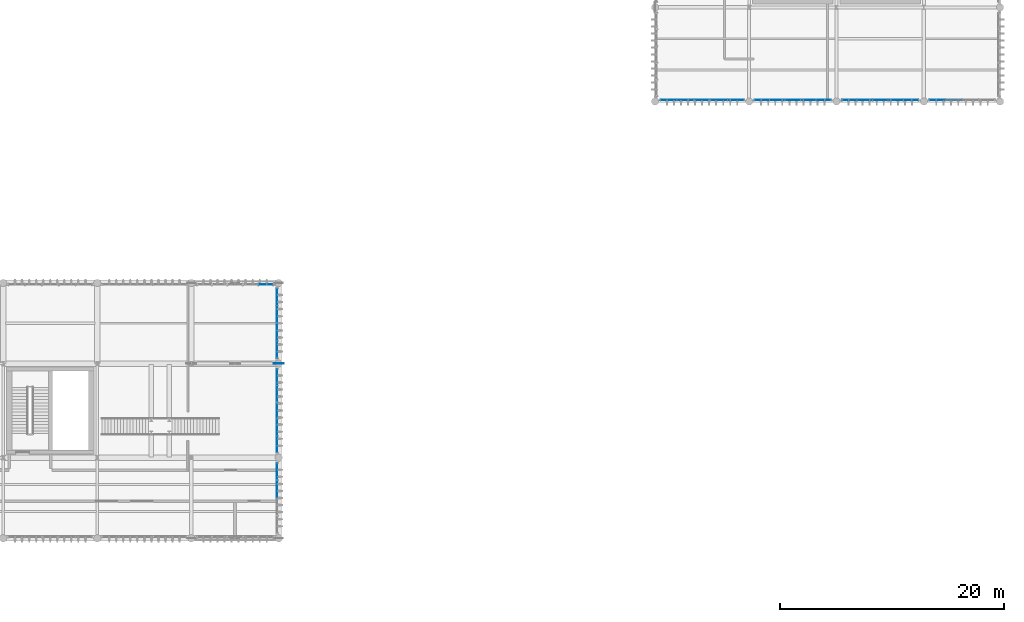
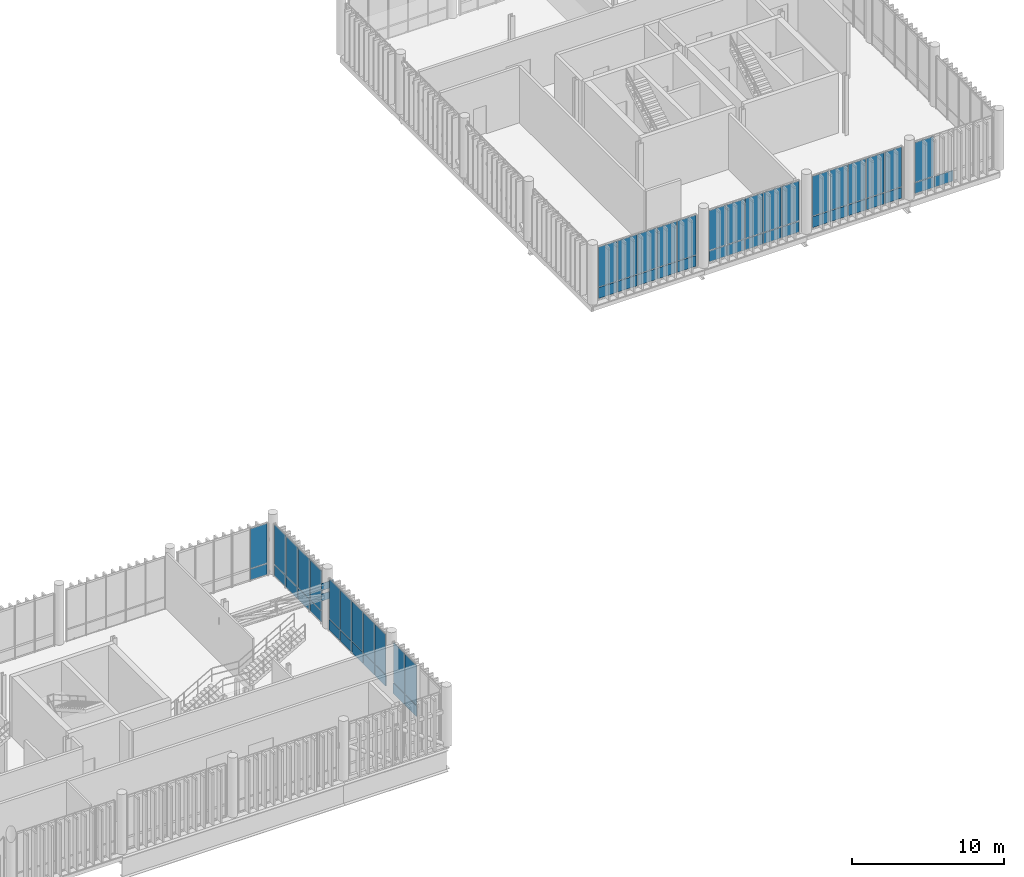
# One storey, part 67 of 86: 59 plates, 8 elements without a shape of their own.
"""IFC4 building model written with IfcOpenShell, lengths in metres."""

from ifc_helpers import new_model, si_unit, direction, frame, frame_2d, origin_with_axes, origin_2d_with_axis, place, context, subcontext, project, spatial, rectangle, extrude, material, layer, layer_set, type_object, element, aggregate, save


model = new_model("IFC4")

# Units and contexts
model_context = context("Model", 3, precision=1e-05, world=origin_with_axes(), true_north=direction((0.0, 1.0)))
body_context = subcontext(model_context, "Body", "Model", "MODEL_VIEW")
ifc_project = project(units=[si_unit("LENGTHUNIT", "METRE"), si_unit("AREAUNIT", "SQUARE_METRE"), si_unit("VOLUMEUNIT", "CUBIC_METRE"), si_unit("PLANEANGLEUNIT", "RADIAN"), si_unit("MASSUNIT", "GRAM", prefix="KILO"), si_unit("THERMODYNAMICTEMPERATUREUNIT", "KELVIN")], contexts=[model_context])

# Site, building, storey
site_placement = place(None, origin_with_axes())
site = spatial("IfcSite", under=ifc_project, at=site_placement, CompositionType="ELEMENT")
building_placement = place(site_placement, origin_with_axes())
building = spatial("IfcBuilding", under=site, at=building_placement, Name="Montbau Bow Law Courts", CompositionType="ELEMENT")
storey_placement = place(building_placement, frame((0.0, 0.0, 29.7), z_axis=(0.0, 0.0, 1.0), x_axis=(1.0, 0.0, 0.0)))
storey = spatial("IfcBuildingStorey", under=building, at=storey_placement, Name="L06", CompositionType="ELEMENT", Elevation=29.7)

# Curtain wall, plate
ifc_material_1 = material(Name="Thermally Broken Extruded Aluminium AA 6063-T6", Category="aluminium")
curtain_wall_type_1 = type_object("IfcCurtainWallType", Name="CW-CRM-02", PredefinedType="NOTDEFINED", material=ifc_material_1)
curtain_wall_1_placement = place(None, frame((97.64, 61.66, 29.7), z_axis=(0.0, 0.0, 1.0), x_axis=(1.0, 0.0, 0.0)))
curtain_wall_1 = element("IfcCurtainWall", 1, at=curtain_wall_1_placement, inside=storey, type_object=curtain_wall_type_1, Name="CW-L06-234:cw_0234", PredefinedType="NOTDEFINED")
ifc_material_2 = material(Name="Triple-Glazed Low-E Argon Insulating Glass Unit", Category="glass")
ifc_layer_1 = layer(ifc_material_2, 0.044, Name="Curtain Panel", Category="glass")
ifc_layer_set_1 = layer_set([ifc_layer_1], Name="Triple-Glazed Low-E Argon Insulating Glass Unit")
plate_type_1 = type_object("IfcPlateType", Name="PL-CWP-01", PredefinedType="CURTAIN_PANEL", material=ifc_layer_set_1)
plate_1_placement = place(None, frame((103.215, 61.66, 30.682), z_axis=(0.0, -1.0, 0.0), x_axis=(1.0, 0.0, 0.0)))
plate_1 = element("IfcPlate", 2, at=plate_1_placement, type_object=plate_type_1, Name="CW-L06-234-P05-2:cw_0234_P05_2", PredefinedType="CURTAIN_PANEL", context=body_context, shape_type="SweptSolid", body=[
    extrude(rectangle(XDim=1.269, YDim=3.176, at=frame_2d((0.6345, 1.588), x_axis=(1.0, 0.0))), frame((0.0, 0.0, -0.022), z_axis=(0.0, 0.0, 1.0), x_axis=(1.0, 0.0, 0.0)), (0.0, 0.0, 1.0), 0.044),
])

# Curtain wall, plates
curtain_wall_2_placement = place(None, frame((104.86, 39.44, 29.7), z_axis=(0.0, 0.0, 1.0), x_axis=(1.0, 0.0, 0.0)))
curtain_wall_2 = element("IfcCurtainWall", 3, at=curtain_wall_2_placement, inside=storey, type_object=curtain_wall_type_1, Name="CW-L06-238:cw_0238", PredefinedType="NOTDEFINED")
plate_2_placement = place(None, frame((104.86, 42.635, 30.682), z_axis=(1.0, 0.0, 0.0), x_axis=(0.0, 1.0, 0.0)))
plate_2 = element("IfcPlate", 4, at=plate_2_placement, type_object=plate_type_1, Name="CW-L06-238-P03-2:cw_0238_P03_2", PredefinedType="CURTAIN_PANEL", context=body_context, shape_type="SweptSolid", body=[
    extrude(rectangle(XDim=1.511, YDim=3.176, at=frame_2d((0.7555, 1.588), x_axis=(1.0, 0.0))), frame((0.0, 0.0, -0.022), z_axis=(0.0, 0.0, 1.0), x_axis=(1.0, 0.0, 0.0)), (0.0, 0.0, 1.0), 0.044),
])
plate_3_placement = place(None, frame((104.86, 44.214, 30.682), z_axis=(1.0, 0.0, 0.0), x_axis=(0.0, 1.0, 0.0)))
plate_3 = element("IfcPlate", 5, at=plate_3_placement, type_object=plate_type_1, Name="CW-L06-238-P04-2:cw_0238_P04_2", PredefinedType="CURTAIN_PANEL", context=body_context, shape_type="SweptSolid", body=[
    extrude(rectangle(XDim=1.48, YDim=3.176, at=frame_2d((0.74, 1.588), x_axis=(1.0, 0.0))), frame((0.0, 0.0, -0.022), z_axis=(0.0, 0.0, 1.0), x_axis=(1.0, 0.0, 0.0)), (0.0, 0.0, 1.0), 0.044),
])

curtain_wall_3_placement = place(None, frame((104.86, 46.64, 29.7), z_axis=(0.0, 0.0, 1.0), x_axis=(1.0, 0.0, 0.0)))
curtain_wall_3 = element("IfcCurtainWall", 6, at=curtain_wall_3_placement, inside=storey, type_object=curtain_wall_type_1, Name="CW-L06-239:cw_0239", PredefinedType="NOTDEFINED")
plate_4_placement = place(None, frame((104.86, 46.702, 30.679), z_axis=(1.0, 0.0, 0.0), x_axis=(0.0, 1.0, 0.0)))
plate_4 = element("IfcPlate", 7, at=plate_4_placement, type_object=plate_type_1, Name="CW-L06-239-P01-2:cw_0239_P01_2", PredefinedType="CURTAIN_PANEL", context=body_context, shape_type="SweptSolid", body=[
    extrude(rectangle(XDim=1.41, YDim=3.183, at=frame_2d((0.705, 1.5915), x_axis=(1.0, 0.0))), frame((0.0, 0.0, -0.022), z_axis=(0.0, 0.0, 1.0), x_axis=(1.0, 0.0, 0.0)), (0.0, 0.0, 1.0), 0.044),
])
plate_5_placement = place(None, frame((104.86, 48.176, 30.679), z_axis=(1.0, 0.0, 0.0), x_axis=(0.0, 1.0, 0.0)))
plate_5 = element("IfcPlate", 8, at=plate_5_placement, type_object=plate_type_1, Name="CW-L06-239-P02-2:cw_0239_P02_2", PredefinedType="CURTAIN_PANEL", context=body_context, shape_type="SweptSolid", body=[
    extrude(rectangle(XDim=1.44, YDim=3.183, at=frame_2d((0.72, 1.5915), x_axis=(1.0, 0.0))), frame((0.0, 0.0, -0.022), z_axis=(0.0, 0.0, 1.0), x_axis=(1.0, 0.0, 0.0)), (0.0, 0.0, 1.0), 0.044),
])
plate_6_placement = place(None, frame((104.86, 49.68, 30.679), z_axis=(1.0, 0.0, 0.0), x_axis=(0.0, 1.0, 0.0)))
plate_6 = element("IfcPlate", 9, at=plate_6_placement, type_object=plate_type_1, Name="CW-L06-239-P03-2:cw_0239_P03_2", PredefinedType="CURTAIN_PANEL", context=body_context, shape_type="SweptSolid", body=[
    extrude(rectangle(XDim=1.44, YDim=3.183, at=frame_2d((0.72, 1.5915), x_axis=(1.0, 0.0))), frame((0.0, 0.0, -0.022), z_axis=(0.0, 0.0, 1.0), x_axis=(1.0, 0.0, 0.0)), (0.0, 0.0, 1.0), 0.044),
])
plate_7_placement = place(None, frame((104.86, 51.184, 30.679), z_axis=(1.0, 0.0, 0.0), x_axis=(0.0, 1.0, 0.0)))
plate_7 = element("IfcPlate", 10, at=plate_7_placement, type_object=plate_type_1, Name="CW-L06-239-P04-2:cw_0239_P04_2", PredefinedType="CURTAIN_PANEL", context=body_context, shape_type="SweptSolid", body=[
    extrude(rectangle(XDim=1.44, YDim=3.183, at=frame_2d((0.72, 1.5915), x_axis=(1.0, 0.0))), frame((0.0, 0.0, -0.022), z_axis=(0.0, 0.0, 1.0), x_axis=(1.0, 0.0, 0.0)), (0.0, 0.0, 1.0), 0.044),
])
plate_8_placement = place(None, frame((104.86, 52.688, 30.679), z_axis=(1.0, 0.0, 0.0), x_axis=(0.0, 1.0, 0.0)))
plate_8 = element("IfcPlate", 11, at=plate_8_placement, type_object=plate_type_1, Name="CW-L06-239-P05-2:cw_0239_P05_2", PredefinedType="CURTAIN_PANEL", context=body_context, shape_type="SweptSolid", body=[
    extrude(rectangle(XDim=1.41, YDim=3.183, at=frame_2d((0.705, 1.5915), x_axis=(1.0, 0.0))), frame((0.0, 0.0, -0.022), z_axis=(0.0, 0.0, 1.0), x_axis=(1.0, 0.0, 0.0)), (0.0, 0.0, 1.0), 0.044),
])

curtain_wall_4_placement = place(None, frame((104.86, 55.04, 29.7), z_axis=(0.0, 0.0, 1.0), x_axis=(1.0, 0.0, 0.0)))
curtain_wall_4 = element("IfcCurtainWall", 12, at=curtain_wall_4_placement, inside=storey, type_object=curtain_wall_type_1, Name="CW-L06-240:cw_0240", PredefinedType="NOTDEFINED")
plate_9_placement = place(None, frame((104.86, 55.116, 30.682), z_axis=(1.0, 0.0, 0.0), x_axis=(0.0, 1.0, 0.0)))
plate_9 = element("IfcPlate", 13, at=plate_9_placement, type_object=plate_type_1, Name="CW-L06-240-P01-2:cw_0240_P01_2", PredefinedType="CURTAIN_PANEL", context=body_context, shape_type="SweptSolid", body=[
    extrude(rectangle(XDim=1.464, YDim=3.176, at=frame_2d((0.732, 1.588), x_axis=(1.0, 0.0))), frame((0.0, 0.0, -0.022), z_axis=(0.0, 0.0, 1.0), x_axis=(1.0, 0.0, 0.0)), (0.0, 0.0, 1.0), 0.044),
])
plate_10_placement = place(None, frame((104.86, 56.66, 30.682), z_axis=(1.0, 0.0, 0.0), x_axis=(0.0, 1.0, 0.0)))
plate_10 = element("IfcPlate", 14, at=plate_10_placement, type_object=plate_type_1, Name="CW-L06-240-P02-2:cw_0240_P02_2", PredefinedType="CURTAIN_PANEL", context=body_context, shape_type="SweptSolid", body=[
    extrude(rectangle(XDim=1.501, YDim=3.176, at=frame_2d((0.7505, 1.588), x_axis=(1.0, 0.0))), frame((0.0, 0.0, -0.022), z_axis=(0.0, 0.0, 1.0), x_axis=(1.0, 0.0, 0.0)), (0.0, 0.0, 1.0), 0.044),
])
plate_11_placement = place(None, frame((104.86, 58.24, 30.682), z_axis=(1.0, 0.0, 0.0), x_axis=(0.0, 1.0, 0.0)))
plate_11 = element("IfcPlate", 15, at=plate_11_placement, type_object=plate_type_1, Name="CW-L06-240-P03-2:cw_0240_P03_2", PredefinedType="CURTAIN_PANEL", context=body_context, shape_type="SweptSolid", body=[
    extrude(rectangle(XDim=1.501, YDim=3.176, at=frame_2d((0.7505, 1.588), x_axis=(1.0, 0.0))), frame((0.0, 0.0, -0.022), z_axis=(0.0, 0.0, 1.0), x_axis=(1.0, 0.0, 0.0)), (0.0, 0.0, 1.0), 0.044),
])
plate_12_placement = place(None, frame((104.86, 59.819, 30.682), z_axis=(1.0, 0.0, 0.0), x_axis=(0.0, 1.0, 0.0)))
plate_12 = element("IfcPlate", 16, at=plate_12_placement, type_object=plate_type_1, Name="CW-L06-240-P04-2:cw_0240_P04_2", PredefinedType="CURTAIN_PANEL", context=body_context, shape_type="SweptSolid", body=[
    extrude(rectangle(XDim=1.465, YDim=3.176, at=frame_2d((0.7325, 1.588), x_axis=(1.0, 0.0))), frame((0.0, 0.0, -0.022), z_axis=(0.0, 0.0, 1.0), x_axis=(1.0, 0.0, 0.0)), (0.0, 0.0, 1.0), 0.044),
])

curtain_wall_type_2 = type_object("IfcCurtainWallType", Name="CW-SLT-02", PredefinedType="NOTDEFINED", material=ifc_material_1)
curtain_wall_5_placement = place(None, frame((139.04, 78.14, 29.7), z_axis=(0.0, 0.0, 1.0), x_axis=(1.0, 0.0, 0.0)))
curtain_wall_5 = element("IfcCurtainWall", 17, at=curtain_wall_5_placement, inside=storey, type_object=curtain_wall_type_2, Name="CW-L06-349:cw_0349", PredefinedType="NOTDEFINED")
plate_13_placement = place(None, frame((139.108, 78.14, 30.679), z_axis=(0.0, -1.0, 0.0), x_axis=(1.0, 0.0, 0.0)))
plate_13 = element("IfcPlate", 18, at=plate_13_placement, type_object=plate_type_1, Name="CW-L06-349-P01-2:cw_0349_P01_2", PredefinedType="CURTAIN_PANEL", context=body_context, shape_type="SweptSolid", body=[
    extrude(rectangle(XDim=1.402, YDim=3.183, at=frame_2d((0.701, 1.5915), x_axis=(1.0, 0.0))), frame((0.0, 0.0, -0.022), z_axis=(0.0, 0.0, 1.0), x_axis=(1.0, 0.0, 0.0)), (0.0, 0.0, 1.0), 0.044),
])
plate_14_placement = place(None, frame((140.578, 78.14, 30.679), z_axis=(0.0, -1.0, 0.0), x_axis=(1.0, 0.0, 0.0)))
plate_14 = element("IfcPlate", 19, at=plate_14_placement, type_object=plate_type_1, Name="CW-L06-349-P02-2:cw_0349_P02_2", PredefinedType="CURTAIN_PANEL", context=body_context, shape_type="SweptSolid", body=[
    extrude(rectangle(XDim=1.436, YDim=3.183, at=frame_2d((0.718, 1.5915), x_axis=(1.0, 0.0))), frame((0.0, 0.0, -0.022), z_axis=(0.0, 0.0, 1.0), x_axis=(1.0, 0.0, 0.0)), (0.0, 0.0, 1.0), 0.044),
])
plate_15_placement = place(None, frame((142.082, 78.14, 30.679), z_axis=(0.0, -1.0, 0.0), x_axis=(1.0, 0.0, 0.0)))
plate_15 = element("IfcPlate", 20, at=plate_15_placement, type_object=plate_type_1, Name="CW-L06-349-P03-2:cw_0349_P03_2", PredefinedType="CURTAIN_PANEL", context=body_context, shape_type="SweptSolid", body=[
    extrude(rectangle(XDim=1.436, YDim=3.183, at=frame_2d((0.718, 1.5915), x_axis=(1.0, 0.0))), frame((0.0, 0.0, -0.022), z_axis=(0.0, 0.0, 1.0), x_axis=(1.0, 0.0, 0.0)), (0.0, 0.0, 1.0), 0.044),
])
plate_16_placement = place(None, frame((143.586, 78.14, 30.679), z_axis=(0.0, -1.0, 0.0), x_axis=(1.0, 0.0, 0.0)))
plate_16 = element("IfcPlate", 21, at=plate_16_placement, type_object=plate_type_1, Name="CW-L06-349-P04-2:cw_0349_P04_2", PredefinedType="CURTAIN_PANEL", context=body_context, shape_type="SweptSolid", body=[
    extrude(rectangle(XDim=1.436, YDim=3.183, at=frame_2d((0.718, 1.5915), x_axis=(1.0, 0.0))), frame((0.0, 0.0, -0.022), z_axis=(0.0, 0.0, 1.0), x_axis=(1.0, 0.0, 0.0)), (0.0, 0.0, 1.0), 0.044),
])
plate_17_placement = place(None, frame((145.09, 78.14, 30.679), z_axis=(0.0, -1.0, 0.0), x_axis=(1.0, 0.0, 0.0)))
plate_17 = element("IfcPlate", 22, at=plate_17_placement, type_object=plate_type_1, Name="CW-L06-349-P05-2:cw_0349_P05_2", PredefinedType="CURTAIN_PANEL", context=body_context, shape_type="SweptSolid", body=[
    extrude(rectangle(XDim=1.404, YDim=3.183, at=frame_2d((0.702, 1.5915), x_axis=(1.0, 0.0))), frame((0.0, 0.0, -0.022), z_axis=(0.0, 0.0, 1.0), x_axis=(1.0, 0.0, 0.0)), (0.0, 0.0, 1.0), 0.044),
])

curtain_wall_6_placement = place(None, frame((147.44, 78.14, 29.7), z_axis=(0.0, 0.0, 1.0), x_axis=(1.0, 0.0, 0.0)))
curtain_wall_6 = element("IfcCurtainWall", 23, at=curtain_wall_6_placement, inside=storey, type_object=curtain_wall_type_2, Name="CW-L06-350:cw_0350", PredefinedType="NOTDEFINED")
plate_18_placement = place(None, frame((147.502, 78.14, 30.682), z_axis=(0.0, -1.0, 0.0), x_axis=(1.0, 0.0, 0.0)))
plate_18 = element("IfcPlate", 24, at=plate_18_placement, type_object=plate_type_1, Name="CW-L06-350-P01-2:cw_0350_P01_2", PredefinedType="CURTAIN_PANEL", context=body_context, shape_type="SweptSolid", body=[
    extrude(rectangle(XDim=1.29, YDim=3.176, at=frame_2d((0.645, 1.588), x_axis=(1.0, 0.0))), frame((0.0, 0.0, -0.022), z_axis=(0.0, 0.0, 1.0), x_axis=(1.0, 0.0, 0.0)), (0.0, 0.0, 1.0), 0.044),
])
plate_19_placement = place(None, frame((148.856, 78.14, 30.682), z_axis=(0.0, -1.0, 0.0), x_axis=(1.0, 0.0, 0.0)))
plate_19 = element("IfcPlate", 25, at=plate_19_placement, type_object=plate_type_1, Name="CW-L06-350-P02-2:cw_0350_P02_2", PredefinedType="CURTAIN_PANEL", context=body_context, shape_type="SweptSolid", body=[
    extrude(rectangle(XDim=1.32, YDim=3.176, at=frame_2d((0.66, 1.588), x_axis=(1.0, 0.0))), frame((0.0, 0.0, -0.022), z_axis=(0.0, 0.0, 1.0), x_axis=(1.0, 0.0, 0.0)), (0.0, 0.0, 1.0), 0.044),
])
plate_20_placement = place(None, frame((150.24, 78.14, 30.682), z_axis=(0.0, -1.0, 0.0), x_axis=(1.0, 0.0, 0.0)))
plate_20 = element("IfcPlate", 26, at=plate_20_placement, type_object=plate_type_1, Name="CW-L06-350-P03-2:cw_0350_P03_2", PredefinedType="CURTAIN_PANEL", context=body_context, shape_type="SweptSolid", body=[
    extrude(rectangle(XDim=1.32, YDim=3.176, at=frame_2d((0.66, 1.588), x_axis=(1.0, 0.0))), frame((0.0, 0.0, -0.022), z_axis=(0.0, 0.0, 1.0), x_axis=(1.0, 0.0, 0.0)), (0.0, 0.0, 1.0), 0.044),
])
plate_21_placement = place(None, frame((151.624, 78.14, 30.682), z_axis=(0.0, -1.0, 0.0), x_axis=(1.0, 0.0, 0.0)))
plate_21 = element("IfcPlate", 27, at=plate_21_placement, type_object=plate_type_1, Name="CW-L06-350-P04-2:cw_0350_P04_2", PredefinedType="CURTAIN_PANEL", context=body_context, shape_type="SweptSolid", body=[
    extrude(rectangle(XDim=1.32, YDim=3.176, at=frame_2d((0.66, 1.588), x_axis=(1.0, 0.0))), frame((0.0, 0.0, -0.022), z_axis=(0.0, 0.0, 1.0), x_axis=(1.0, 0.0, 0.0)), (0.0, 0.0, 1.0), 0.044),
])
plate_22_placement = place(None, frame((153.008, 78.14, 30.682), z_axis=(0.0, -1.0, 0.0), x_axis=(1.0, 0.0, 0.0)))
plate_22 = element("IfcPlate", 28, at=plate_22_placement, type_object=plate_type_1, Name="CW-L06-350-P05-2:cw_0350_P05_2", PredefinedType="CURTAIN_PANEL", context=body_context, shape_type="SweptSolid", body=[
    extrude(rectangle(XDim=1.29, YDim=3.176, at=frame_2d((0.645, 1.588), x_axis=(1.0, 0.0))), frame((0.0, 0.0, -0.022), z_axis=(0.0, 0.0, 1.0), x_axis=(1.0, 0.0, 0.0)), (0.0, 0.0, 1.0), 0.044),
])

curtain_wall_7_placement = place(None, frame((155.24, 78.14, 29.7), z_axis=(0.0, 0.0, 1.0), x_axis=(1.0, 0.0, 0.0)))
curtain_wall_7 = element("IfcCurtainWall", 29, at=curtain_wall_7_placement, inside=storey, type_object=curtain_wall_type_2, Name="CW-L06-351:cw_0351", PredefinedType="NOTDEFINED")
plate_23_placement = place(None, frame((155.316, 78.14, 30.679), z_axis=(0.0, -1.0, 0.0), x_axis=(1.0, 0.0, 0.0)))
plate_23 = element("IfcPlate", 30, at=plate_23_placement, type_object=plate_type_1, Name="CW-L06-351-P01-2:cw_0351_P01_2", PredefinedType="CURTAIN_PANEL", context=body_context, shape_type="SweptSolid", body=[
    extrude(rectangle(XDim=1.268, YDim=3.183, at=frame_2d((0.634, 1.5915), x_axis=(1.0, 0.0))), frame((0.0, 0.0, -0.022), z_axis=(0.0, 0.0, 1.0), x_axis=(1.0, 0.0, 0.0)), (0.0, 0.0, 1.0), 0.044),
])
plate_24_placement = place(None, frame((156.663, 78.14, 30.679), z_axis=(0.0, -1.0, 0.0), x_axis=(1.0, 0.0, 0.0)))
plate_24 = element("IfcPlate", 31, at=plate_24_placement, type_object=plate_type_1, Name="CW-L06-351-P02-2:cw_0351_P02_2", PredefinedType="CURTAIN_PANEL", context=body_context, shape_type="SweptSolid", body=[
    extrude(rectangle(XDim=1.305, YDim=3.183, at=frame_2d((0.6525, 1.5915), x_axis=(1.0, 0.0))), frame((0.0, 0.0, -0.022), z_axis=(0.0, 0.0, 1.0), x_axis=(1.0, 0.0, 0.0)), (0.0, 0.0, 1.0), 0.044),
])
plate_25_placement = place(None, frame((158.047, 78.14, 30.679), z_axis=(0.0, -1.0, 0.0), x_axis=(1.0, 0.0, 0.0)))
plate_25 = element("IfcPlate", 32, at=plate_25_placement, type_object=plate_type_1, Name="CW-L06-351-P03-2:cw_0351_P03_2", PredefinedType="CURTAIN_PANEL", context=body_context, shape_type="SweptSolid", body=[
    extrude(rectangle(XDim=1.306, YDim=3.183, at=frame_2d((0.653, 1.5915), x_axis=(1.0, 0.0))), frame((0.0, 0.0, -0.022), z_axis=(0.0, 0.0, 1.0), x_axis=(1.0, 0.0, 0.0)), (0.0, 0.0, 1.0), 0.044),
])
plate_26_placement = place(None, frame((159.431, 78.14, 30.679), z_axis=(0.0, -1.0, 0.0), x_axis=(1.0, 0.0, 0.0)))
plate_26 = element("IfcPlate", 33, at=plate_26_placement, type_object=plate_type_1, Name="CW-L06-351-P04-2:cw_0351_P04_2", PredefinedType="CURTAIN_PANEL", context=body_context, shape_type="SweptSolid", body=[
    extrude(rectangle(XDim=1.306, YDim=3.183, at=frame_2d((0.653, 1.5915), x_axis=(1.0, 0.0))), frame((0.0, 0.0, -0.022), z_axis=(0.0, 0.0, 1.0), x_axis=(1.0, 0.0, 0.0)), (0.0, 0.0, 1.0), 0.044),
])
plate_27_placement = place(None, frame((160.815, 78.14, 30.679), z_axis=(0.0, -1.0, 0.0), x_axis=(1.0, 0.0, 0.0)))
plate_27 = element("IfcPlate", 34, at=plate_27_placement, type_object=plate_type_1, Name="CW-L06-351-P05-2:cw_0351_P05_2", PredefinedType="CURTAIN_PANEL", context=body_context, shape_type="SweptSolid", body=[
    extrude(rectangle(XDim=1.268, YDim=3.183, at=frame_2d((0.634, 1.5915), x_axis=(1.0, 0.0))), frame((0.0, 0.0, -0.022), z_axis=(0.0, 0.0, 1.0), x_axis=(1.0, 0.0, 0.0)), (0.0, 0.0, 1.0), 0.044),
])

# Curtain wall, plate
curtain_wall_8_placement = place(None, frame((163.04, 78.14, 29.7), z_axis=(0.0, 0.0, 1.0), x_axis=(1.0, 0.0, 0.0)))
curtain_wall_8 = element("IfcCurtainWall", 35, at=curtain_wall_8_placement, inside=storey, type_object=curtain_wall_type_2, Name="CW-L06-352:cw_0352", PredefinedType="NOTDEFINED")
plate_28_placement = place(None, frame((163.108, 78.14, 30.682), z_axis=(0.0, -1.0, 0.0), x_axis=(1.0, 0.0, 0.0)))
plate_28 = element("IfcPlate", 36, at=plate_28_placement, type_object=plate_type_1, Name="CW-L06-352-P01-2:cw_0352_P01_2", PredefinedType="CURTAIN_PANEL", context=body_context, shape_type="SweptSolid", body=[
    extrude(rectangle(XDim=1.378, YDim=3.176, at=frame_2d((0.689, 1.588), x_axis=(1.0, 0.0))), frame((0.0, 0.0, -0.022), z_axis=(0.0, 0.0, 1.0), x_axis=(1.0, 0.0, 0.0)), (0.0, 0.0, 1.0), 0.044),
])

# Plate
ifc_material_3 = material(Name="Insulated Ceramic-Frit Spandrel Glazing Unit", Category="glass")
ifc_layer_2 = layer(ifc_material_3, 0.056, Name="Curtain Panel", Category="glass")
ifc_layer_set_2 = layer_set([ifc_layer_2], Name="Insulated Ceramic-Frit Spandrel Glazing Unit")
plate_type_2 = type_object("IfcPlateType", Name="PL-CWP-02", PredefinedType="CURTAIN_PANEL", material=ifc_layer_set_2)
plate_29_placement = place(None, frame((103.215, 61.66, 29.762), z_axis=(0.0, -1.0, 0.0), x_axis=(1.0, 0.0, 0.0)))
plate_29 = element("IfcPlate", 37, at=plate_29_placement, type_object=plate_type_2, Name="CW-L06-234-P05-1:cw_0234_P05_1", PredefinedType="CURTAIN_PANEL", context=body_context, shape_type="SweptSolid", body=[
    extrude(rectangle(XDim=1.269, YDim=0.856, at=frame_2d((0.6345, 0.428), x_axis=(1.0, 0.0))), frame((0.0, 0.0, -0.028), z_axis=(0.0, 0.0, 1.0), x_axis=(1.0, 0.0, 0.0)), (0.0, 0.0, 1.0), 0.056),
])

aggregate(curtain_wall_1, [plate_29, plate_1])

plate_30_placement = place(None, frame((104.86, 42.635, 29.762), z_axis=(1.0, 0.0, 0.0), x_axis=(0.0, 1.0, 0.0)))
plate_30 = element("IfcPlate", 38, at=plate_30_placement, type_object=plate_type_2, Name="CW-L06-238-P03-1:cw_0238_P03_1", PredefinedType="CURTAIN_PANEL", context=body_context, shape_type="SweptSolid", body=[
    extrude(rectangle(XDim=1.511, YDim=0.856, at=frame_2d((0.7555, 0.428), x_axis=(1.0, 0.0))), frame((0.0, 0.0, -0.028), z_axis=(0.0, 0.0, 1.0), x_axis=(1.0, 0.0, 0.0)), (0.0, 0.0, 1.0), 0.056),
])

plate_31_placement = place(None, frame((104.86, 44.214, 29.762), z_axis=(1.0, 0.0, 0.0), x_axis=(0.0, 1.0, 0.0)))
plate_31 = element("IfcPlate", 39, at=plate_31_placement, type_object=plate_type_2, Name="CW-L06-238-P04-1:cw_0238_P04_1", PredefinedType="CURTAIN_PANEL", context=body_context, shape_type="SweptSolid", body=[
    extrude(rectangle(XDim=1.48, YDim=0.856, at=frame_2d((0.74, 0.428), x_axis=(1.0, 0.0))), frame((0.0, 0.0, -0.028), z_axis=(0.0, 0.0, 1.0), x_axis=(1.0, 0.0, 0.0)), (0.0, 0.0, 1.0), 0.056),
])

aggregate(curtain_wall_2, [plate_30, plate_2, plate_31, plate_3])

plate_32_placement = place(None, frame((104.86, 46.702, 29.756), z_axis=(1.0, 0.0, 0.0), x_axis=(0.0, 1.0, 0.0)))
plate_32 = element("IfcPlate", 40, at=plate_32_placement, type_object=plate_type_2, Name="CW-L06-239-P01-1:cw_0239_P01_1", PredefinedType="CURTAIN_PANEL", context=body_context, shape_type="SweptSolid", body=[
    extrude(rectangle(XDim=1.41, YDim=0.864, at=frame_2d((0.705, 0.432), x_axis=(1.0, 0.0))), frame((0.0, 0.0, -0.028), z_axis=(0.0, 0.0, 1.0), x_axis=(1.0, 0.0, 0.0)), (0.0, 0.0, 1.0), 0.056),
])

plate_33_placement = place(None, frame((104.86, 48.176, 29.756), z_axis=(1.0, 0.0, 0.0), x_axis=(0.0, 1.0, 0.0)))
plate_33 = element("IfcPlate", 41, at=plate_33_placement, type_object=plate_type_2, Name="CW-L06-239-P02-1:cw_0239_P02_1", PredefinedType="CURTAIN_PANEL", context=body_context, shape_type="SweptSolid", body=[
    extrude(rectangle(XDim=1.44, YDim=0.864, at=frame_2d((0.72, 0.432), x_axis=(1.0, 0.0))), frame((0.0, 0.0, -0.028), z_axis=(0.0, 0.0, 1.0), x_axis=(1.0, 0.0, 0.0)), (0.0, 0.0, 1.0), 0.056),
])

plate_34_placement = place(None, frame((104.86, 49.68, 29.756), z_axis=(1.0, 0.0, 0.0), x_axis=(0.0, 1.0, 0.0)))
plate_34 = element("IfcPlate", 42, at=plate_34_placement, type_object=plate_type_2, Name="CW-L06-239-P03-1:cw_0239_P03_1", PredefinedType="CURTAIN_PANEL", context=body_context, shape_type="SweptSolid", body=[
    extrude(rectangle(XDim=1.44, YDim=0.864, at=frame_2d((0.72, 0.432), x_axis=(1.0, 0.0))), frame((0.0, 0.0, -0.028), z_axis=(0.0, 0.0, 1.0), x_axis=(1.0, 0.0, 0.0)), (0.0, 0.0, 1.0), 0.056),
])

plate_35_placement = place(None, frame((104.86, 51.184, 29.756), z_axis=(1.0, 0.0, 0.0), x_axis=(0.0, 1.0, 0.0)))
plate_35 = element("IfcPlate", 43, at=plate_35_placement, type_object=plate_type_2, Name="CW-L06-239-P04-1:cw_0239_P04_1", PredefinedType="CURTAIN_PANEL", context=body_context, shape_type="SweptSolid", body=[
    extrude(rectangle(XDim=1.44, YDim=0.864, at=frame_2d((0.72, 0.432), x_axis=(1.0, 0.0))), frame((0.0, 0.0, -0.028), z_axis=(0.0, 0.0, 1.0), x_axis=(1.0, 0.0, 0.0)), (0.0, 0.0, 1.0), 0.056),
])

plate_36_placement = place(None, frame((104.86, 52.688, 29.756), z_axis=(1.0, 0.0, 0.0), x_axis=(0.0, 1.0, 0.0)))
plate_36 = element("IfcPlate", 44, at=plate_36_placement, type_object=plate_type_2, Name="CW-L06-239-P05-1:cw_0239_P05_1", PredefinedType="CURTAIN_PANEL", context=body_context, shape_type="SweptSolid", body=[
    extrude(rectangle(XDim=1.41, YDim=0.864, at=frame_2d((0.705, 0.432), x_axis=(1.0, 0.0))), frame((0.0, 0.0, -0.028), z_axis=(0.0, 0.0, 1.0), x_axis=(1.0, 0.0, 0.0)), (0.0, 0.0, 1.0), 0.056),
])

aggregate(curtain_wall_3, [plate_32, plate_4, plate_33, plate_5, plate_34, plate_6, plate_35, plate_7, plate_36, plate_8])

plate_37_placement = place(None, frame((104.86, 55.116, 29.762), z_axis=(1.0, 0.0, 0.0), x_axis=(0.0, 1.0, 0.0)))
plate_37 = element("IfcPlate", 45, at=plate_37_placement, type_object=plate_type_2, Name="CW-L06-240-P01-1:cw_0240_P01_1", PredefinedType="CURTAIN_PANEL", context=body_context, shape_type="SweptSolid", body=[
    extrude(rectangle(XDim=1.464, YDim=0.856, at=frame_2d((0.732, 0.428), x_axis=(1.0, 0.0))), frame((0.0, 0.0, -0.028), z_axis=(0.0, 0.0, 1.0), x_axis=(1.0, 0.0, 0.0)), (0.0, 0.0, 1.0), 0.056),
])

plate_38_placement = place(None, frame((104.86, 56.66, 29.762), z_axis=(1.0, 0.0, 0.0), x_axis=(0.0, 1.0, 0.0)))
plate_38 = element("IfcPlate", 46, at=plate_38_placement, type_object=plate_type_2, Name="CW-L06-240-P02-1:cw_0240_P02_1", PredefinedType="CURTAIN_PANEL", context=body_context, shape_type="SweptSolid", body=[
    extrude(rectangle(XDim=1.501, YDim=0.856, at=frame_2d((0.7505, 0.428), x_axis=(1.0, 0.0))), frame((0.0, 0.0, -0.028), z_axis=(0.0, 0.0, 1.0), x_axis=(1.0, 0.0, 0.0)), (0.0, 0.0, 1.0), 0.056),
])

plate_39_placement = place(None, frame((104.86, 58.24, 29.762), z_axis=(1.0, 0.0, 0.0), x_axis=(0.0, 1.0, 0.0)))
plate_39 = element("IfcPlate", 47, at=plate_39_placement, type_object=plate_type_2, Name="CW-L06-240-P03-1:cw_0240_P03_1", PredefinedType="CURTAIN_PANEL", context=body_context, shape_type="SweptSolid", body=[
    extrude(rectangle(XDim=1.501, YDim=0.856, at=frame_2d((0.7505, 0.428), x_axis=(1.0, 0.0))), frame((0.0, 0.0, -0.028), z_axis=(0.0, 0.0, 1.0), x_axis=(1.0, 0.0, 0.0)), (0.0, 0.0, 1.0), 0.056),
])

plate_40_placement = place(None, frame((104.86, 59.819, 29.762), z_axis=(1.0, 0.0, 0.0), x_axis=(0.0, 1.0, 0.0)))
plate_40 = element("IfcPlate", 48, at=plate_40_placement, type_object=plate_type_2, Name="CW-L06-240-P04-1:cw_0240_P04_1", PredefinedType="CURTAIN_PANEL", context=body_context, shape_type="SweptSolid", body=[
    extrude(rectangle(XDim=1.465, YDim=0.856, at=frame_2d((0.7325, 0.428), x_axis=(1.0, 0.0))), frame((0.0, 0.0, -0.028), z_axis=(0.0, 0.0, 1.0), x_axis=(1.0, 0.0, 0.0)), (0.0, 0.0, 1.0), 0.056),
])

aggregate(curtain_wall_4, [plate_37, plate_9, plate_38, plate_10, plate_39, plate_11, plate_40, plate_12])

plate_41_placement = place(None, frame((139.108, 78.14, 29.756), z_axis=(0.0, -1.0, 0.0), x_axis=(1.0, 0.0, 0.0)))
plate_41 = element("IfcPlate", 49, at=plate_41_placement, type_object=plate_type_2, Name="CW-L06-349-P01-1:cw_0349_P01_1", PredefinedType="CURTAIN_PANEL", context=body_context, shape_type="SweptSolid", body=[
    extrude(rectangle(XDim=1.402, YDim=0.864, at=frame_2d((0.701, 0.432), x_axis=(1.0, 0.0))), frame((0.0, 0.0, -0.028), z_axis=(0.0, 0.0, 1.0), x_axis=(1.0, 0.0, 0.0)), (0.0, 0.0, 1.0), 0.056),
])

plate_42_placement = place(None, frame((140.578, 78.14, 29.756), z_axis=(0.0, -1.0, 0.0), x_axis=(1.0, 0.0, 0.0)))
plate_42 = element("IfcPlate", 50, at=plate_42_placement, type_object=plate_type_2, Name="CW-L06-349-P02-1:cw_0349_P02_1", PredefinedType="CURTAIN_PANEL", context=body_context, shape_type="SweptSolid", body=[
    extrude(rectangle(XDim=1.436, YDim=0.864, at=frame_2d((0.718, 0.432), x_axis=(1.0, 0.0))), frame((0.0, 0.0, -0.028), z_axis=(0.0, 0.0, 1.0), x_axis=(1.0, 0.0, 0.0)), (0.0, 0.0, 1.0), 0.056),
])

plate_43_placement = place(None, frame((142.082, 78.14, 29.756), z_axis=(0.0, -1.0, 0.0), x_axis=(1.0, 0.0, 0.0)))
plate_43 = element("IfcPlate", 51, at=plate_43_placement, type_object=plate_type_2, Name="CW-L06-349-P03-1:cw_0349_P03_1", PredefinedType="CURTAIN_PANEL", context=body_context, shape_type="SweptSolid", body=[
    extrude(rectangle(XDim=1.436, YDim=0.864, at=frame_2d((0.718, 0.432), x_axis=(1.0, 0.0))), frame((0.0, 0.0, -0.028), z_axis=(0.0, 0.0, 1.0), x_axis=(1.0, 0.0, 0.0)), (0.0, 0.0, 1.0), 0.056),
])

plate_44_placement = place(None, frame((143.586, 78.14, 29.756), z_axis=(0.0, -1.0, 0.0), x_axis=(1.0, 0.0, 0.0)))
plate_44 = element("IfcPlate", 52, at=plate_44_placement, type_object=plate_type_2, Name="CW-L06-349-P04-1:cw_0349_P04_1", PredefinedType="CURTAIN_PANEL", context=body_context, shape_type="SweptSolid", body=[
    extrude(rectangle(XDim=1.436, YDim=0.864, at=frame_2d((0.718, 0.432), x_axis=(1.0, 0.0))), frame((0.0, 0.0, -0.028), z_axis=(0.0, 0.0, 1.0), x_axis=(1.0, 0.0, 0.0)), (0.0, 0.0, 1.0), 0.056),
])

plate_45_placement = place(None, frame((145.09, 78.14, 29.756), z_axis=(0.0, -1.0, 0.0), x_axis=(1.0, 0.0, 0.0)))
plate_45 = element("IfcPlate", 53, at=plate_45_placement, type_object=plate_type_2, Name="CW-L06-349-P05-1:cw_0349_P05_1", PredefinedType="CURTAIN_PANEL", context=body_context, shape_type="SweptSolid", body=[
    extrude(rectangle(XDim=1.404, YDim=0.864, at=frame_2d((0.702, 0.432), x_axis=(1.0, 0.0))), frame((0.0, 0.0, -0.028), z_axis=(0.0, 0.0, 1.0), x_axis=(1.0, 0.0, 0.0)), (0.0, 0.0, 1.0), 0.056),
])

aggregate(curtain_wall_5, [plate_41, plate_13, plate_42, plate_14, plate_43, plate_15, plate_44, plate_16, plate_45, plate_17])

plate_46_placement = place(None, frame((147.502, 78.14, 29.762), z_axis=(0.0, -1.0, 0.0), x_axis=(1.0, 0.0, 0.0)))
plate_46 = element("IfcPlate", 54, at=plate_46_placement, type_object=plate_type_2, Name="CW-L06-350-P01-1:cw_0350_P01_1", PredefinedType="CURTAIN_PANEL", context=body_context, shape_type="SweptSolid", body=[
    extrude(rectangle(XDim=1.29, YDim=0.856, at=frame_2d((0.645, 0.428), x_axis=(1.0, 0.0))), frame((0.0, 0.0, -0.028), z_axis=(0.0, 0.0, 1.0), x_axis=(1.0, 0.0, 0.0)), (0.0, 0.0, 1.0), 0.056),
])

plate_47_placement = place(None, frame((148.856, 78.14, 29.762), z_axis=(0.0, -1.0, 0.0), x_axis=(1.0, 0.0, 0.0)))
plate_47 = element("IfcPlate", 55, at=plate_47_placement, type_object=plate_type_2, Name="CW-L06-350-P02-1:cw_0350_P02_1", PredefinedType="CURTAIN_PANEL", context=body_context, shape_type="SweptSolid", body=[
    extrude(rectangle(XDim=1.32, YDim=0.856, at=frame_2d((0.66, 0.428), x_axis=(1.0, 0.0))), frame((0.0, 0.0, -0.028), z_axis=(0.0, 0.0, 1.0), x_axis=(1.0, 0.0, 0.0)), (0.0, 0.0, 1.0), 0.056),
])

plate_48_placement = place(None, frame((150.24, 78.14, 29.762), z_axis=(0.0, -1.0, 0.0), x_axis=(1.0, 0.0, 0.0)))
plate_48 = element("IfcPlate", 56, at=plate_48_placement, type_object=plate_type_2, Name="CW-L06-350-P03-1:cw_0350_P03_1", PredefinedType="CURTAIN_PANEL", context=body_context, shape_type="SweptSolid", body=[
    extrude(rectangle(XDim=1.32, YDim=0.856, at=frame_2d((0.66, 0.428), x_axis=(1.0, 0.0))), frame((0.0, 0.0, -0.028), z_axis=(0.0, 0.0, 1.0), x_axis=(1.0, 0.0, 0.0)), (0.0, 0.0, 1.0), 0.056),
])

plate_49_placement = place(None, frame((151.624, 78.14, 29.762), z_axis=(0.0, -1.0, 0.0), x_axis=(1.0, 0.0, 0.0)))
plate_49 = element("IfcPlate", 57, at=plate_49_placement, type_object=plate_type_2, Name="CW-L06-350-P04-1:cw_0350_P04_1", PredefinedType="CURTAIN_PANEL", context=body_context, shape_type="SweptSolid", body=[
    extrude(rectangle(XDim=1.32, YDim=0.856, at=frame_2d((0.66, 0.428), x_axis=(1.0, 0.0))), frame((0.0, 0.0, -0.028), z_axis=(0.0, 0.0, 1.0), x_axis=(1.0, 0.0, 0.0)), (0.0, 0.0, 1.0), 0.056),
])

plate_50_placement = place(None, frame((153.008, 78.14, 29.762), z_axis=(0.0, -1.0, 0.0), x_axis=(1.0, 0.0, 0.0)))
plate_50 = element("IfcPlate", 58, at=plate_50_placement, type_object=plate_type_2, Name="CW-L06-350-P05-1:cw_0350_P05_1", PredefinedType="CURTAIN_PANEL", context=body_context, shape_type="SweptSolid", body=[
    extrude(rectangle(XDim=1.29, YDim=0.856, at=frame_2d((0.645, 0.428), x_axis=(1.0, 0.0))), frame((0.0, 0.0, -0.028), z_axis=(0.0, 0.0, 1.0), x_axis=(1.0, 0.0, 0.0)), (0.0, 0.0, 1.0), 0.056),
])

aggregate(curtain_wall_6, [plate_46, plate_18, plate_47, plate_19, plate_48, plate_20, plate_49, plate_21, plate_50, plate_22])

plate_51_placement = place(None, frame((155.316, 78.14, 29.756), z_axis=(0.0, -1.0, 0.0), x_axis=(1.0, 0.0, 0.0)))
plate_51 = element("IfcPlate", 59, at=plate_51_placement, type_object=plate_type_2, Name="CW-L06-351-P01-1:cw_0351_P01_1", PredefinedType="CURTAIN_PANEL", context=body_context, shape_type="SweptSolid", body=[
    extrude(rectangle(XDim=1.268, YDim=0.864, at=frame_2d((0.634, 0.432), x_axis=(1.0, 0.0))), frame((0.0, 0.0, -0.028), z_axis=(0.0, 0.0, 1.0), x_axis=(1.0, 0.0, 0.0)), (0.0, 0.0, 1.0), 0.056),
])

plate_52_placement = place(None, frame((156.663, 78.14, 29.756), z_axis=(0.0, -1.0, 0.0), x_axis=(1.0, 0.0, 0.0)))
plate_52 = element("IfcPlate", 60, at=plate_52_placement, type_object=plate_type_2, Name="CW-L06-351-P02-1:cw_0351_P02_1", PredefinedType="CURTAIN_PANEL", context=body_context, shape_type="SweptSolid", body=[
    extrude(rectangle(XDim=1.305, YDim=0.864, at=frame_2d((0.6525, 0.432), x_axis=(1.0, 0.0))), frame((0.0, 0.0, -0.028), z_axis=(0.0, 0.0, 1.0), x_axis=(1.0, 0.0, 0.0)), (0.0, 0.0, 1.0), 0.056),
])

plate_53_placement = place(None, frame((158.047, 78.14, 29.756), z_axis=(0.0, -1.0, 0.0), x_axis=(1.0, 0.0, 0.0)))
plate_53 = element("IfcPlate", 61, at=plate_53_placement, type_object=plate_type_2, Name="CW-L06-351-P03-1:cw_0351_P03_1", PredefinedType="CURTAIN_PANEL", context=body_context, shape_type="SweptSolid", body=[
    extrude(rectangle(XDim=1.306, YDim=0.864, at=frame_2d((0.653, 0.432), x_axis=(1.0, 0.0))), frame((0.0, 0.0, -0.028), z_axis=(0.0, 0.0, 1.0), x_axis=(1.0, 0.0, 0.0)), (0.0, 0.0, 1.0), 0.056),
])

plate_54_placement = place(None, frame((159.431, 78.14, 29.756), z_axis=(0.0, -1.0, 0.0), x_axis=(1.0, 0.0, 0.0)))
plate_54 = element("IfcPlate", 62, at=plate_54_placement, type_object=plate_type_2, Name="CW-L06-351-P04-1:cw_0351_P04_1", PredefinedType="CURTAIN_PANEL", context=body_context, shape_type="SweptSolid", body=[
    extrude(rectangle(XDim=1.306, YDim=0.864, at=frame_2d((0.653, 0.432), x_axis=(1.0, 0.0))), frame((0.0, 0.0, -0.028), z_axis=(0.0, 0.0, 1.0), x_axis=(1.0, 0.0, 0.0)), (0.0, 0.0, 1.0), 0.056),
])

plate_55_placement = place(None, frame((160.815, 78.14, 29.756), z_axis=(0.0, -1.0, 0.0), x_axis=(1.0, 0.0, 0.0)))
plate_55 = element("IfcPlate", 63, at=plate_55_placement, type_object=plate_type_2, Name="CW-L06-351-P05-1:cw_0351_P05_1", PredefinedType="CURTAIN_PANEL", context=body_context, shape_type="SweptSolid", body=[
    extrude(rectangle(XDim=1.268, YDim=0.864, at=frame_2d((0.634, 0.432), x_axis=(1.0, 0.0))), frame((0.0, 0.0, -0.028), z_axis=(0.0, 0.0, 1.0), x_axis=(1.0, 0.0, 0.0)), (0.0, 0.0, 1.0), 0.056),
])

aggregate(curtain_wall_7, [plate_51, plate_23, plate_52, plate_24, plate_53, plate_25, plate_54, plate_26, plate_55, plate_27])

plate_56_placement = place(None, frame((163.108, 78.14, 29.762), z_axis=(0.0, -1.0, 0.0), x_axis=(1.0, 0.0, 0.0)))
plate_56 = element("IfcPlate", 64, at=plate_56_placement, type_object=plate_type_2, Name="CW-L06-352-P01-1:cw_0352_P01_1", PredefinedType="CURTAIN_PANEL", context=body_context, shape_type="SweptSolid", body=[
    extrude(rectangle(XDim=1.378, YDim=0.856, at=frame_2d((0.689, 0.428), x_axis=(1.0, 0.0))), frame((0.0, 0.0, -0.028), z_axis=(0.0, 0.0, 1.0), x_axis=(1.0, 0.0, 0.0)), (0.0, 0.0, 1.0), 0.056),
])

plate_57_placement = place(None, frame((164.554, 78.14, 29.762), z_axis=(0.0, -1.0, 0.0), x_axis=(1.0, 0.0, 0.0)))
plate_57 = element("IfcPlate", 65, at=plate_57_placement, type_object=plate_type_2, Name="CW-L06-352-P02-1:cw_0352_P02_1", PredefinedType="CURTAIN_PANEL", context=body_context, shape_type="SweptSolid", body=[
    extrude(rectangle(XDim=1.411, YDim=0.856, at=frame_2d((0.7055, 0.428), x_axis=(1.0, 0.0))), frame((0.0, 0.0, -0.028), z_axis=(0.0, 0.0, 1.0), x_axis=(1.0, 0.0, 0.0)), (0.0, 0.0, 1.0), 0.056),
])

aggregate(curtain_wall_8, [plate_56, plate_28, plate_57])

# Plates
ifc_material_4 = material(Name="Steel CSA G40.21 Grade 350WT (350 MPa)", Category="steel")
ifc_layer_3 = layer(ifc_material_4, 0.032, Name="Gusset Plate", Category="steel")
ifc_layer_set_3 = layer_set([ifc_layer_3], Name="Steel CSA G40.21 Grade 350WT (350 MPa)")
plate_type_3 = type_object("IfcPlateType", Name="PL-GUS-01", PredefinedType="USERDEFINED", material=ifc_layer_set_3)
for number, where, z_axis, x_axis, name in (
    (66, (105.0, 54.6, 31.88), (0.0, 0.0, 1.0), (1.0, 0.0, 0.0), "BGP-L06-039:plt_0070"),
    (67, (105.0, 54.6, 32.72), (0.0, 0.0, 1.0), (1.0, 0.0, 0.0), "BGP-L06-040:plt_0071"),
):
    element("IfcPlate", number, at=place(None, frame(where, z_axis=z_axis, x_axis=x_axis)), inside=storey, type_object=plate_type_3, Name=name, ObjectType="GUSSET_PLATE", PredefinedType="USERDEFINED", context=body_context, shape_type="SweptSolid", body=[
        extrude(rectangle(XDim=0.9, YDim=0.032, at=origin_2d_with_axis()), origin_with_axes(), (0.0, 0.0, 1.0), 0.56),
    ])

save(model, "model.ifc")
